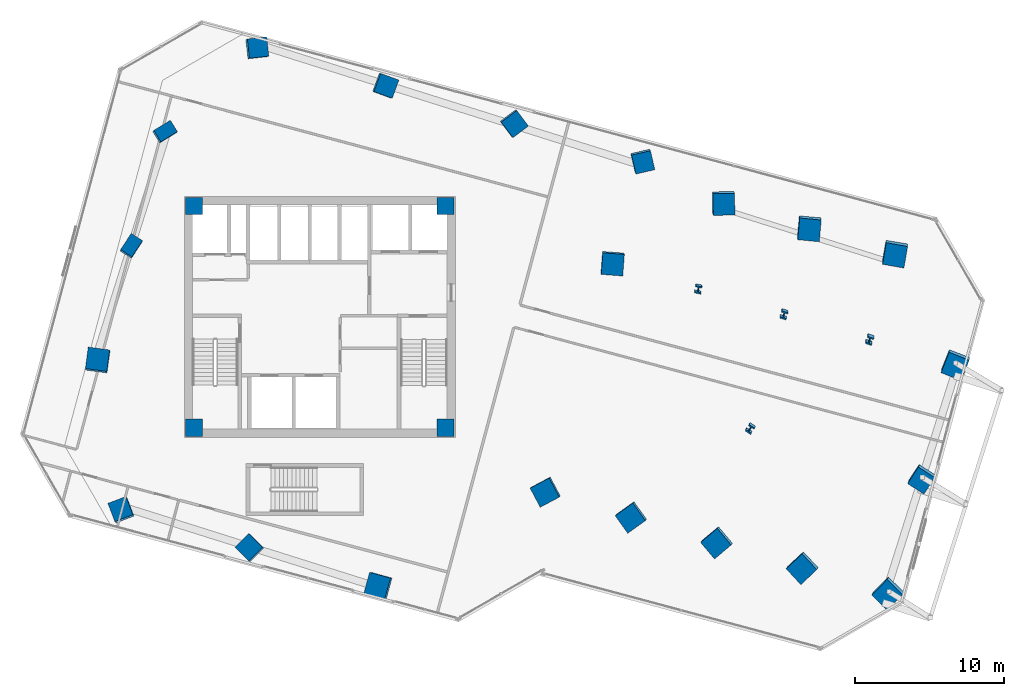
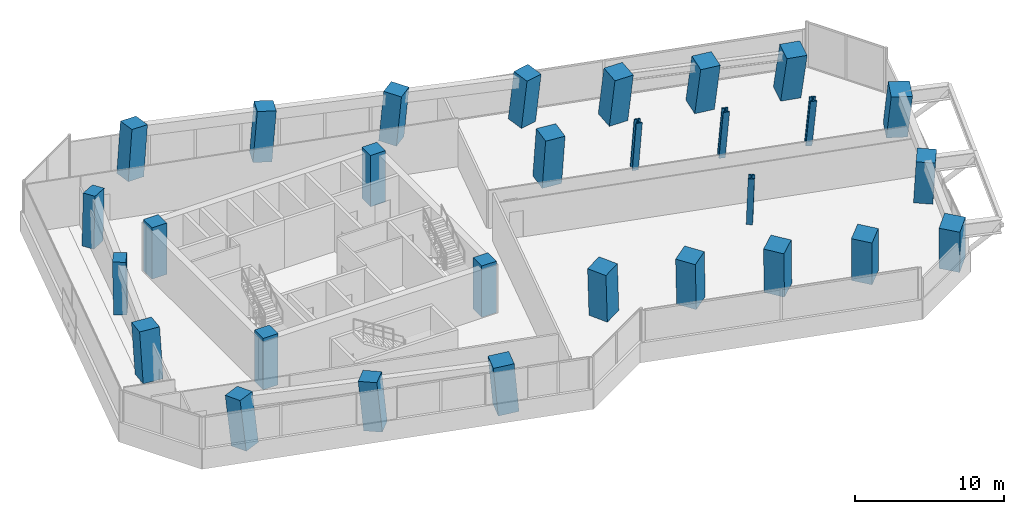
# One storey, part 1 of 27: 29 columns.
"""IFC4 building model written with IfcOpenShell, lengths in metres."""

from ifc_helpers import new_model, si_unit, direction, frame, origin, origin_2d, place, context, subcontext, project, spatial, rectangle, i_section, extrude, clip, halfspace, source, transform, mapped, material, material_profile, profile_set, type_object, element, save


model = new_model("IFC4")

# Units and contexts
model_context = context("Model", 3, precision=1e-05, world=origin(), true_north=direction((0.0, 1.0)))
body_context = subcontext(model_context, "Body", "Model", "MODEL_VIEW")
ifc_project = project(units=[si_unit("LENGTHUNIT", "METRE"), si_unit("AREAUNIT", "SQUARE_METRE"), si_unit("VOLUMEUNIT", "CUBIC_METRE"), si_unit("PLANEANGLEUNIT", "RADIAN"), si_unit("MASSUNIT", "GRAM", prefix="KILO")], contexts=[model_context])

# Site, building, storey
site_placement = place(None, origin())
site = spatial("IfcSite", under=ifc_project, at=site_placement, CompositionType="ELEMENT")
building_placement = place(site_placement, origin())
building = spatial("IfcBuilding", under=site, at=building_placement, Name="Torre Montelarca", CompositionType="ELEMENT")
storey_placement = place(building_placement, frame((0.0, 0.0, 108.39990234375)))
storey = spatial("IfcBuildingStorey", under=building, at=storey_placement, Name="L24", CompositionType="ELEMENT", Elevation=108.39990234375)

# Columns
ifc_material_1 = material(Name="Concrete C55/67", Category="concrete")
ifc_material_profile_1 = material_profile(ifc_material_1, rectangle(XDim=0.89990234375, YDim=1.300048828125, at=origin_2d()), Name="RC1300X900", Category="concrete")
ifc_profile_set_1 = profile_set([ifc_material_profile_1], Name="Concrete C55/67")
column_type_1 = type_object("IfcColumnType", Name="COL-PIL1300-EXT", PredefinedType="PILASTER", material=ifc_profile_set_1)
column_1_placement = place(storey_placement, frame((5.3232421875, 36.715087890625, 0.0), z_axis=(0.025304327695, 0.083440586291, 0.996191427166), x_axis=(0.83783221016, -0.545382313936, 0.024399165226)))
element("IfcColumn", 1, at=column_1_placement, inside=storey, type_object=column_type_1, Name="L24 Column 1W/E", PredefinedType="PILASTER", context=body_context, shape_type="Clipping", body=[
    clip(clip(extrude(rectangle(XDim=0.89990234375, YDim=1.300048828125, at=origin_2d()), origin(), (0.0, 0.0, 1.0), 4.21630859375), halfspace(frame((0.0, 0.0, 0.06640625), z_axis=(0.0, 0.0, -1.0), x_axis=(1.0, 0.0, 0.0)), False)), halfspace(frame((0.0, 0.0, 4.14990234375), z_axis=(0.0, 0.0, 1.0), x_axis=(1.0, 0.0, 0.0)), False)),
])
column_2_placement = place(storey_placement, frame((7.561767578125, 44.3955078125, 0.0), z_axis=(0.064855729905, 0.071335517371, 0.995341638966), x_axis=(0.522988465649, -0.85191268616, 0.026978509186)))
element("IfcColumn", 2, at=column_2_placement, inside=storey, type_object=column_type_1, Name="L24 Column 1W/F", PredefinedType="PILASTER", context=body_context, shape_type="Clipping", body=[
    clip(clip(extrude(rectangle(XDim=0.89990234375, YDim=1.300048828125, at=origin_2d()), origin(), (0.0, 0.0, 1.0), 4.219970703125), halfspace(frame((0.0, 0.0, 0.073486328125), z_axis=(0.0, 0.0, -1.0), x_axis=(1.0, 0.0, 0.0)), False)), halfspace(frame((0.0, 0.0, 4.146484375), z_axis=(0.0, 0.0, 1.0), x_axis=(1.0, 0.0, 0.0)), False)),
])
ifc_material_2 = material(Name="Concrete C70/85", Category="concrete")
ifc_material_profile_2 = material_profile(ifc_material_2, rectangle(XDim=1.300048828125, YDim=1.300048828125, at=origin_2d()), Name="RC1300X1300", Category="concrete")
ifc_profile_set_2 = profile_set([ifc_material_profile_2], Name="Concrete C70/85")
column_type_2 = type_object("IfcColumnType", Name="COL-RC1300-EXT", PredefinedType="COLUMN", material=ifc_profile_set_2)
column_3_placement = place(storey_placement, frame((4.686279296875, 18.985107421875, 0.0), z_axis=(-0.066210024201, 0.087528958695, 0.99395921148), x_axis=(0.933463595819, 0.357354912566, 0.03071126414)))
element("IfcColumn", 3, at=column_3_placement, inside=storey, type_object=column_type_2, Name="L24 Column 2/CS", PredefinedType="COLUMN", context=body_context, shape_type="Clipping", body=[
    clip(clip(extrude(rectangle(XDim=1.300048828125, YDim=1.300048828125, at=origin_2d()), origin(), (0.0, 0.0, 1.0), 4.225830078125), halfspace(frame((0.0, 0.0, 0.08984375), z_axis=(0.0, 0.0, -1.0), x_axis=(1.0, 0.0, 0.0)), False)), halfspace(frame((0.0, 0.0, 4.135986328125), z_axis=(0.0, 0.0, 1.0), x_axis=(1.0, 0.0, 0.0)), False)),
])
column_4_placement = place(storey_placement, frame((13.73876953125, 50.04248046875, 0.0), z_axis=(0.093677778231, 0.039090233385, 0.994834874499), x_axis=(0.112802709972, -0.993211324356, 0.028404467863)))
element("IfcColumn", 4, at=column_4_placement, inside=storey, type_object=column_type_2, Name="L24 Column 2/GN", PredefinedType="COLUMN", context=body_context, shape_type="Clipping", body=[
    clip(clip(extrude(rectangle(XDim=1.300048828125, YDim=1.300048828125, at=origin_2d()), origin(), (0.0, 0.0, 1.0), 4.221923828125), halfspace(frame((0.0, 0.0, 0.0830078125), z_axis=(0.0, 0.0, -1.0), x_axis=(1.0, 0.0, 0.0)), False)), halfspace(frame((0.0, 0.0, 4.138916015625), z_axis=(0.0, 0.0, 1.0), x_axis=(1.0, 0.0, 0.0)), False)),
])
column_5_placement = place(storey_placement, frame((13.326904296875, 16.466552734375, 0.0), z_axis=(-0.079882697855, 0.043125079639, 0.995870966586), x_axis=(0.701293103519, 0.712420294494, 0.025402892552)))
element("IfcColumn", 5, at=column_5_placement, inside=storey, type_object=column_type_2, Name="L24 Column 3/CS", PredefinedType="COLUMN", context=body_context, shape_type="Clipping", body=[
    clip(clip(extrude(rectangle(XDim=1.300048828125, YDim=1.300048828125, at=origin_2d()), origin(), (0.0, 0.0, 1.0), 4.217529296875), halfspace(frame((0.0, 0.0, 0.07421875), z_axis=(0.0, 0.0, -1.0), x_axis=(1.0, 0.0, 0.0)), False)), halfspace(frame((0.0, 0.0, 4.143310546875), z_axis=(0.0, 0.0, 1.0), x_axis=(1.0, 0.0, 0.0)), False)),
])
column_6_placement = place(storey_placement, frame((22.379150390625, 47.524169921875, 0.0), z_axis=(0.080358858552, -0.005446094235, 0.996751119342), x_axis=(-0.343197283927, -0.938992890453, 0.022538322547)))
element("IfcColumn", 6, at=column_6_placement, inside=storey, type_object=column_type_2, Name="L24 Column 3/GN", PredefinedType="COLUMN", context=body_context, shape_type="Clipping", body=[
    clip(clip(extrude(rectangle(XDim=1.300048828125, YDim=1.300048828125, at=origin_2d()), origin(), (0.0, 0.0, 1.0), 4.2138671875), halfspace(frame((0.0, 0.0, 0.06591796875), z_axis=(0.0, 0.0, -1.0), x_axis=(1.0, 0.0, 0.0)), False)), halfspace(frame((0.0, 0.0, 4.14794921875), z_axis=(0.0, 0.0, 1.0), x_axis=(1.0, 0.0, 0.0)), False)),
])
column_7_placement = place(storey_placement, frame((31.019775390625, 45.005615234375, 0.0), z_axis=(0.066728027674, -0.04998809712, 0.996518218835), x_axis=(-0.798779681404, -0.601171101376, 0.023330826115)))
element("IfcColumn", 7, at=column_7_placement, inside=storey, type_object=column_type_2, Name="L24 Column 4/GN", PredefinedType="COLUMN", context=body_context, shape_type="Clipping", body=[
    clip(clip(extrude(rectangle(XDim=1.300048828125, YDim=1.300048828125, at=origin_2d()), origin(), (0.0, 0.0, 1.0), 4.21484375), halfspace(frame((0.0, 0.0, 0.068115234375), z_axis=(0.0, 0.0, -1.0), x_axis=(1.0, 0.0, 0.0)), False)), halfspace(frame((0.0, 0.0, 4.146728515625), z_axis=(0.0, 0.0, 1.0), x_axis=(1.0, 0.0, 0.0)), False)),
])
column_8_placement = place(storey_placement, frame((39.66015625, 42.4873046875, 0.0), z_axis=(0.053103747576, -0.094361719033, 0.994120645583), x_axis=(-0.973092241165, -0.228415060183, 0.030299347614)))
element("IfcColumn", 8, at=column_8_placement, inside=storey, type_object=column_type_2, Name="L24 Column 5/GN", PredefinedType="COLUMN", context=body_context, shape_type="Clipping", body=[
    clip(clip(extrude(rectangle(XDim=1.300048828125, YDim=1.300048828125, at=origin_2d()), origin(), (0.0, 0.0, 1.0), 4.22509765625), halfspace(frame((0.0, 0.0, 0.088623046875), z_axis=(0.0, 0.0, -1.0), x_axis=(1.0, 0.0, 0.0)), False)), halfspace(frame((0.0, 0.0, 4.136474609375), z_axis=(0.0, 0.0, 1.0), x_axis=(1.0, 0.0, 0.0)), False)),
])
column_9_placement = place(storey_placement, frame((58.4619140625, 21.2265625, 0.0), z_axis=(-0.056940607111, -0.187636114723, 0.980586791525), x_axis=(-0.838999664702, 0.541358290655, 0.054870427098)))
element("IfcColumn", 9, at=column_9_placement, inside=storey, type_object=column_type_2, Name="L24 Column 9/E", PredefinedType="COLUMN", context=body_context, shape_type="Clipping", body=[
    clip(clip(extrude(rectangle(XDim=1.300048828125, YDim=1.300048828125, at=origin_2d()), origin(), (0.0, 0.0, 1.0), 4.283447265625), halfspace(frame((0.0, 0.0, 0.161865234375), z_axis=(0.0, 0.0, -1.0), x_axis=(1.0, 0.0, 0.0)), False)), halfspace(frame((0.0, 0.0, 4.12158203125), z_axis=(0.0, 0.0, 1.0), x_axis=(1.0, 0.0, 0.0)), False)),
])
ifc_material_profile_3 = material_profile(ifc_material_2, rectangle(XDim=1.449951171875, YDim=1.449951171875, at=origin_2d()), Name="RC1450X1450", Category="concrete")
ifc_profile_set_3 = profile_set([ifc_material_profile_3], Name="Concrete C70/85")
column_type_3 = type_object("IfcColumnType", Name="COL-RC1450", PredefinedType="COLUMN", material=ifc_profile_set_3)
column_10_placement = place(storey_placement, frame((33.18212890625, 20.26220703125, 0.0), z_axis=(-0.061444512233, -0.059822979394, 0.996316105989), x_axis=(-0.469962247041, 0.882360255063, 0.02399722154)))
element("IfcColumn", 10, at=column_10_placement, inside=storey, type_object=column_type_3, Name="L24 Column 5/D", PredefinedType="COLUMN", context=body_context, shape_type="Clipping", body=[
    clip(clip(extrude(rectangle(XDim=1.449951171875, YDim=1.449951171875, at=origin_2d()), origin(), (0.0, 0.0, 1.0), 4.2158203125), halfspace(frame((0.0, 0.0, 0.078125), z_axis=(0.0, 0.0, -1.0), x_axis=(1.0, 0.0, 0.0)), False)), halfspace(frame((0.0, 0.0, 4.1376953125), z_axis=(0.0, 0.0, 1.0), x_axis=(1.0, 0.0, 0.0)), False)),
])
column_11_placement = place(storey_placement, frame((37.659423828125, 35.622802734375, 0.0), z_axis=(0.017836984974, -0.083799082003, 0.996323017812), x_axis=(-0.997057033724, 0.072818152452, 0.02397474035)))
element("IfcColumn", 11, at=column_11_placement, inside=storey, type_object=column_type_3, Name="L24 Column 5/F", PredefinedType="COLUMN", context=body_context, shape_type="Clipping", body=[
    clip(clip(extrude(rectangle(XDim=1.449951171875, YDim=1.449951171875, at=origin_2d()), origin(), (0.0, 0.0, 1.0), 4.215576171875), halfspace(frame((0.0, 0.0, 0.078125), z_axis=(0.0, 0.0, -1.0), x_axis=(1.0, 0.0, 0.0)), False)), halfspace(frame((0.0, 0.0, 4.137451171875), z_axis=(0.0, 0.0, 1.0), x_axis=(1.0, 0.0, 0.0)), False)),
])
column_12_placement = place(storey_placement, frame((38.9423828125, 18.5830078125, 0.0), z_axis=(-0.070224135684, -0.089223922394, 0.993532919656), x_axis=(-0.582465789804, 0.812234004789, 0.031773025866)))
element("IfcColumn", 12, at=column_12_placement, inside=storey, type_object=column_type_3, Name="L24 Column 6/D", PredefinedType="COLUMN", context=body_context, shape_type="Clipping", body=[
    clip(clip(extrude(rectangle(XDim=1.449951171875, YDim=1.449951171875, at=origin_2d()), origin(), (0.0, 0.0, 1.0), 4.2275390625), halfspace(frame((0.0, 0.0, 0.103515625), z_axis=(0.0, 0.0, -1.0), x_axis=(1.0, 0.0, 0.0)), False)), halfspace(frame((0.0, 0.0, 4.1240234375), z_axis=(0.0, 0.0, 1.0), x_axis=(1.0, 0.0, 0.0)), False)),
])
column_13_placement = place(storey_placement, frame((45.0986328125, 39.7041015625, 0.0), z_axis=(0.038336503657, -0.121985025172, 0.991791291614), x_axis=(-0.999093281431, -0.023072438449, 0.035780966775)))
element("IfcColumn", 13, at=column_13_placement, inside=storey, type_object=column_type_3, Name="L24 Column 6/G", PredefinedType="COLUMN", context=body_context, shape_type="Clipping", body=[
    clip(clip(extrude(rectangle(XDim=1.449951171875, YDim=1.449951171875, at=origin_2d()), origin(), (0.0, 0.0, 1.0), 4.23486328125), halfspace(frame((0.0, 0.0, 0.11669921875), z_axis=(0.0, 0.0, -1.0), x_axis=(1.0, 0.0, 0.0)), False)), halfspace(frame((0.0, 0.0, 4.1181640625), z_axis=(0.0, 0.0, 1.0), x_axis=(1.0, 0.0, 0.0)), False)),
])
column_14_placement = place(storey_placement, frame((44.70263671875, 16.904052734375, 0.0), z_axis=(-0.078880089771, -0.118406436723, 0.989827180461), x_axis=(-0.645424286258, 0.76278597494, 0.039812650544)))
element("IfcColumn", 14, at=column_14_placement, inside=storey, type_object=column_type_3, Name="L24 Column 7/D", PredefinedType="COLUMN", context=body_context, shape_type="Clipping", body=[
    clip(clip(extrude(rectangle(XDim=1.449951171875, YDim=1.449951171875, at=origin_2d()), origin(), (0.0, 0.0, 1.0), 4.243408203125), halfspace(frame((0.0, 0.0, 0.1298828125), z_axis=(0.0, 0.0, -1.0), x_axis=(1.0, 0.0, 0.0)), False)), halfspace(frame((0.0, 0.0, 4.113525390625), z_axis=(0.0, 0.0, 1.0), x_axis=(1.0, 0.0, 0.0)), False)),
])
column_15_placement = place(storey_placement, frame((50.85888671875, 38.025146484375, 0.0), z_axis=(0.029291516065, -0.150994893597, 0.988100475253), x_axis=(-0.995136317919, 0.088607162104, 0.043040441253)))
element("IfcColumn", 15, at=column_15_placement, inside=storey, type_object=column_type_3, Name="L24 Column 7/G", PredefinedType="COLUMN", context=body_context, shape_type="Clipping", body=[
    clip(clip(extrude(rectangle(XDim=1.449951171875, YDim=1.449951171875, at=origin_2d()), origin(), (0.0, 0.0, 1.0), 4.250732421875), halfspace(frame((0.0, 0.0, 0.140625), z_axis=(0.0, 0.0, -1.0), x_axis=(1.0, 0.0, 0.0)), False)), halfspace(frame((0.0, 0.0, 4.110107421875), z_axis=(0.0, 0.0, 1.0), x_axis=(1.0, 0.0, 0.0)), False)),
])
column_16_placement = place(storey_placement, frame((50.462890625, 15.22509765625, 0.0), z_axis=(-0.087447322936, -0.147234490679, 0.985228384927), x_axis=(-0.684652165959, 0.727293019635, 0.047919466174)))
element("IfcColumn", 16, at=column_16_placement, inside=storey, type_object=column_type_3, Name="L24 Column 8/D", PredefinedType="COLUMN", context=body_context, shape_type="Clipping", body=[
    clip(clip(extrude(rectangle(XDim=1.449951171875, YDim=1.449951171875, at=origin_2d()), origin(), (0.0, 0.0, 1.0), 4.26318359375), halfspace(frame((0.0, 0.0, 0.156982421875), z_axis=(0.0, 0.0, -1.0), x_axis=(1.0, 0.0, 0.0)), False)), halfspace(frame((0.0, 0.0, 4.106201171875), z_axis=(0.0, 0.0, 1.0), x_axis=(1.0, 0.0, 0.0)), False)),
])
column_17_placement = place(storey_placement, frame((56.619140625, 36.34619140625, 0.0), z_axis=(0.020294801599, -0.179623286263, 0.983526103395), x_axis=(-0.98487919122, 0.165693320666, 0.050583615811)))
element("IfcColumn", 17, at=column_17_placement, inside=storey, type_object=column_type_3, Name="L24 Column 8/G", PredefinedType="COLUMN", context=body_context, shape_type="Clipping", body=[
    clip(clip(extrude(rectangle(XDim=1.449951171875, YDim=1.449951171875, at=origin_2d()), origin(), (0.0, 0.0, 1.0), 4.2705078125), halfspace(frame((0.0, 0.0, 0.166015625), z_axis=(0.0, 0.0, -1.0), x_axis=(1.0, 0.0, 0.0)), False)), halfspace(frame((0.0, 0.0, 4.1044921875), z_axis=(0.0, 0.0, 1.0), x_axis=(1.0, 0.0, 0.0)), False)),
])
ifc_material_profile_4 = material_profile(ifc_material_2, rectangle(XDim=1.449951171875, YDim=1.449951171875, at=origin_2d()), Name="RC1450X1450", Category="concrete")
ifc_profile_set_4 = profile_set([ifc_material_profile_4], Name="Concrete C70/85")
column_type_4 = type_object("IfcColumnType", Name="COL-RC1450-EXT", PredefinedType="COLUMN", material=ifc_profile_set_4)
column_18_placement = place(storey_placement, frame((21.96728515625, 13.947998046875, 0.0), z_axis=(-0.093405157056, -0.001388924268, 0.99562721313), x_axis=(0.264300328545, 0.964086104961, 0.02614036252)))
element("IfcColumn", 18, at=column_18_placement, inside=storey, type_object=column_type_4, Name="L24 Perimeter Mega Column 4/CS", PredefinedType="COLUMN", context=body_context, shape_type="Clipping", body=[
    clip(clip(extrude(rectangle(XDim=1.449951171875, YDim=1.449951171875, at=origin_2d()), origin(), (0.0, 0.0, 1.0), 4.21875), halfspace(frame((0.0, 0.0, 0.0849609375), z_axis=(0.0, 0.0, -1.0), x_axis=(1.0, 0.0, 0.0)), False)), halfspace(frame((0.0, 0.0, 4.1337890625), z_axis=(0.0, 0.0, 1.0), x_axis=(1.0, 0.0, 0.0)), False)),
])
for number, where, z_axis, x_axis, name in (
    (19, (56.223388671875, 13.546142578125, 0.0), (-0.095847866363, -0.175635662426, 0.979778189489), (-0.711393243673, 0.700560321929, 0.055990072293), "L24 Perimeter Mega Column 9/D"),
    (20, (60.70068359375, 28.906982421875, 0.0), (-0.017939274987, -0.199325277637, 0.979769164706), (-0.93160934059, 0.359120820282, 0.056002437148), "L24 Perimeter Mega Column 9/F"),
):
    element("IfcColumn", number, at=place(storey_placement, frame(where, z_axis=z_axis, x_axis=x_axis)), inside=storey, type_object=column_type_4, Name=name, PredefinedType="COLUMN", context=body_context, shape_type="Clipping", body=[
        clip(clip(extrude(rectangle(XDim=1.449951171875, YDim=1.449951171875, at=origin_2d()), origin(), (0.0, 0.0, 1.0), 4.286865234375), halfspace(frame((0.0, 0.0, 0.184326171875), z_axis=(0.0, 0.0, -1.0), x_axis=(1.0, 0.0, 0.0)), False)), halfspace(frame((0.0, 0.0, 4.1025390625), z_axis=(0.0, 0.0, 1.0), x_axis=(1.0, 0.0, 0.0)), False)),
    ])
column_19_placement = place(storey_placement, frame((3.08447265625, 29.03466796875, 0.0), z_axis=(-0.014290167127, 0.095402775679, 0.995336175127), x_axis=(0.990716932944, -0.133233881295, 0.026994289275)))
element("IfcColumn", 21, at=column_19_placement, inside=storey, type_object=column_type_4, Name="L24 Perimeter Mega Column 1W/D", PredefinedType="COLUMN", context=body_context, shape_type="Clipping", body=[
    clip(clip(extrude(rectangle(XDim=1.449951171875, YDim=1.449951171875, at=origin_2d()), origin(), (0.0, 0.0, 1.0), 4.219970703125), halfspace(frame((0.0, 0.0, 0.087890625), z_axis=(0.0, 0.0, -1.0), x_axis=(1.0, 0.0, 0.0)), False)), halfspace(frame((0.0, 0.0, 4.132080078125), z_axis=(0.0, 0.0, 1.0), x_axis=(1.0, 0.0, 0.0)), False)),
])
ifc_material_3 = material(Name="Steel ASTM A992 Grade 50", Category="steel")
ifc_material_profile_5 = material_profile(ifc_material_3, i_section(OverallWidth=0.431884765625, OverallDepth=0.498046875, WebThickness=0.0556640625, FlangeThickness=0.0888671875, FilletRadius=0.014892578125, at=origin_2d()), Name="W360X744", Category="steel")
ifc_profile_set_5 = profile_set([ifc_material_profile_5], Name="Steel ASTM A992 Grade 50")
column_type_5 = type_object("IfcColumnType", Name="COL-W360X744", PredefinedType="COLUMN", material=ifc_profile_set_5)
column_20_placement = place(storey_placement, frame((43.419677734375, 33.94384765625, 0.0), z_axis=(0.008778031261, -0.113190403109, 0.993534538308), x_axis=(-0.978672038905, 0.20295754962, 0.031769062263)))
element("IfcColumn", 22, at=column_20_placement, inside=storey, type_object=column_type_5, Name="L24 Column 6/F", PredefinedType="COLUMN", context=body_context, shape_type="Clipping", body=[
    clip(clip(extrude(i_section(OverallWidth=0.431884765625, OverallDepth=0.498046875, WebThickness=0.0556640625, FlangeThickness=0.0888671875, FilletRadius=0.014892578125, at=origin_2d()), origin(), (0.0, 0.0, 1.0), 4.2275390625), halfspace(frame((0.0, 0.0, 0.034912109375), z_axis=(0.0, 0.0, -1.0), x_axis=(1.0, 0.0, 0.0)), False)), halfspace(frame((0.0, 0.0, 4.192626953125), z_axis=(0.0, 0.0, 1.0), x_axis=(1.0, 0.0, 0.0)), False)),
])
column_21_placement = place(storey_placement, frame((46.94140625, 24.58447265625, 0.0), z_axis=(-0.039617133974, -0.130483176723, 0.990658681529), x_axis=(-0.83810363037, 0.54417479474, 0.038158846035)))
element("IfcColumn", 23, at=column_21_placement, inside=storey, type_object=column_type_5, Name="L24 Column 7/E", PredefinedType="COLUMN", context=body_context, shape_type="Clipping", body=[
    clip(clip(extrude(i_section(OverallWidth=0.431884765625, OverallDepth=0.498046875, WebThickness=0.0556640625, FlangeThickness=0.0888671875, FilletRadius=0.014892578125, at=origin_2d()), origin(), (0.0, 0.0, 1.0), 4.23974609375), halfspace(frame((0.0, 0.0, 0.0419921875), z_axis=(0.0, 0.0, -1.0), x_axis=(1.0, 0.0, 0.0)), False)), halfspace(frame((0.0, 0.0, 4.19775390625), z_axis=(0.0, 0.0, 1.0), x_axis=(1.0, 0.0, 0.0)), False)),
])
column_22_placement = place(storey_placement, frame((49.179931640625, 32.264892578125, 0.0), z_axis=(-0.000172602513, -0.142339538659, 0.989817875138), x_axis=(-0.959713280046, 0.278143722739, 0.039830762045)))
element("IfcColumn", 24, at=column_22_placement, inside=storey, type_object=column_type_5, Name="L24 Column 7/F", PredefinedType="COLUMN", context=body_context, shape_type="Clipping", body=[
    clip(clip(extrude(i_section(OverallWidth=0.431884765625, OverallDepth=0.498046875, WebThickness=0.0556640625, FlangeThickness=0.0888671875, FilletRadius=0.014892578125, at=origin_2d()), origin(), (0.0, 0.0, 1.0), 4.243408203125), halfspace(frame((0.0, 0.0, 0.043701171875), z_axis=(0.0, 0.0, -1.0), x_axis=(1.0, 0.0, 0.0)), False)), halfspace(frame((0.0, 0.0, 4.19970703125), z_axis=(0.0, 0.0, 1.0), x_axis=(1.0, 0.0, 0.0)), False)),
])
column_23_placement = place(storey_placement, frame((54.940185546875, 30.5859375, 0.0), z_axis=(-0.009105432119, -0.171056136735, 0.9852192087), x_axis=(-0.94403801502, 0.326335004431, 0.047934237029)))
element("IfcColumn", 25, at=column_23_placement, inside=storey, type_object=column_type_5, Name="L24 Column 8/F", PredefinedType="COLUMN", context=body_context, shape_type="Clipping", body=[
    clip(clip(extrude(i_section(OverallWidth=0.431884765625, OverallDepth=0.498046875, WebThickness=0.0556640625, FlangeThickness=0.0888671875, FilletRadius=0.014892578125, at=origin_2d()), origin(), (0.0, 0.0, 1.0), 4.26318359375), halfspace(frame((0.0, 0.0, 0.052734375), z_axis=(0.0, 0.0, -1.0), x_axis=(1.0, 0.0, 0.0)), False)), halfspace(frame((0.0, 0.0, 4.21044921875), z_axis=(0.0, 0.0, 1.0), x_axis=(1.0, 0.0, 0.0)), False)),
])
ifc_material_profile_6 = material_profile(ifc_material_1, rectangle(XDim=1.14990234375, YDim=1.14990234375, at=origin_2d()), Name="RC1150X1150", Category="concrete")
ifc_profile_set_6 = profile_set([ifc_material_profile_6], Name="Concrete C55/67")
column_type_6 = type_object("IfcColumnType", Name="COL-RC1150", PredefinedType="COLUMN", material=ifc_profile_set_6)
shared_shape = source(origin(), body_context, "Body", "SweptSolid", [
    extrude(rectangle(XDim=1.14990234375, YDim=1.14990234375, at=origin_2d()), origin(), (0.0, 0.0, 1.0), 4.19873046875),
])
for number, where, z_axis, x_axis, name in (
    (26, (9.550048828125, 24.550048828125, 0.000732421875), (0.0, 0.0, 1.0), (1.0, 0.0, 0.0), "L24 Plumb Core Corner Column 2D"),
    (27, (26.449951171875, 24.550048828125, 0.000732421875), (0.0, 0.0, 1.0), (1.0, 0.0, 0.0), "L24 Plumb Core Corner Column 4D"),
    (28, (9.550048828125, 39.449951171875, 0.000732421875), (0.0, 0.0, 1.0), (1.0, 0.0, 0.0), "L24 Plumb Core Corner Column 2F"),
    (29, (26.449951171875, 39.449951171875, 0.000732421875), (0.0, 0.0, 1.0), (1.0, 0.0, 0.0), "L24 Plumb Core Corner Column 4F"),
):
    element("IfcColumn", number, at=place(storey_placement, frame(where, z_axis=z_axis, x_axis=x_axis)), inside=storey, type_object=column_type_6, Name=name, PredefinedType="COLUMN", context=body_context, shape_type="MappedRepresentation", body=[
        mapped(shared_shape, transform((0.0, 0.0, 0.0), scale=1.0)),
    ])

save(model, "model.ifc")
